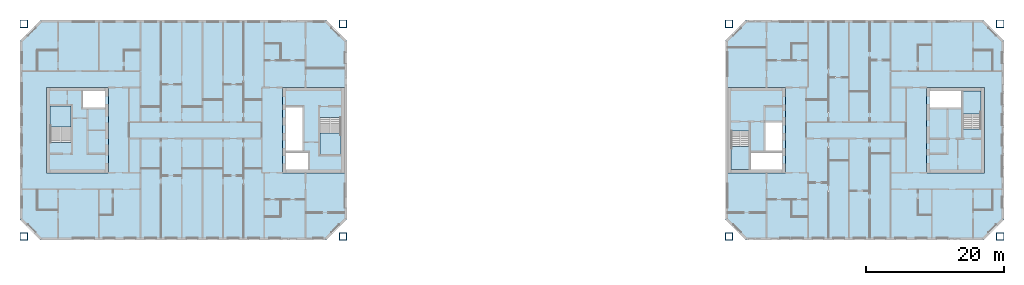
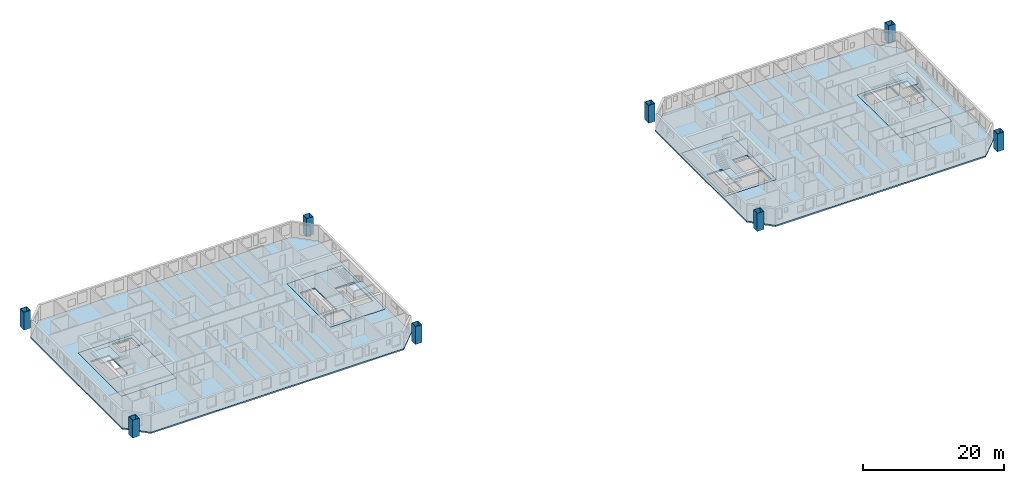
# One storey, part 1 of 16: 10 slabs, 8 columns, 4 elements without a shape of their own.
"""IFC4 building model written with IfcOpenShell, lengths in metres."""

from ifc_helpers import new_model, si_unit, direction, frame, origin, origin_2d, place, context, subcontext, project, spatial, polyline, hollow_rectangle, outline, extrude, material, layer, layer_set, material_profile, profile_set, type_object, element, aggregate, save


model = new_model("IFC4")

# Units and contexts
model_context = context("Model", 3, precision=1e-05, world=origin(), true_north=direction((0.0, 1.0)))
body_context = subcontext(model_context, "Body", "Model", "MODEL_VIEW")
ifc_project = project(units=[si_unit("LENGTHUNIT", "METRE"), si_unit("AREAUNIT", "SQUARE_METRE"), si_unit("VOLUMEUNIT", "CUBIC_METRE"), si_unit("PLANEANGLEUNIT", "RADIAN"), si_unit("MASSUNIT", "GRAM", prefix="KILO")], contexts=[model_context])

# Site, building, storey
site_placement = place(None, origin())
site = spatial("IfcSite", under=ifc_project, at=site_placement, CompositionType="ELEMENT")
building_placement = place(site_placement, origin())
building = spatial("IfcBuilding", under=site, at=building_placement, Name="Tuart Gate Housing", CompositionType="ELEMENT")
storey_placement = place(building_placement, frame((0.0, 0.0, 151.60009765625)))
storey = spatial("IfcBuildingStorey", under=building, at=storey_placement, Name="L42", CompositionType="ELEMENT", Elevation=151.60009765625)

# Columns
ifc_material_1 = material(Name="Steel Grade 350", Category="steel")
ifc_material_profile = material_profile(ifc_material_1, hollow_rectangle(XDim=1.10009765625, YDim=1.10009765625, WallThickness=0.06005859375, at=origin_2d()), Name="BOX 1100x1100x60")
ifc_profile_set = profile_set([ifc_material_profile], Name="Steel Grade 350")
column_type = type_object("IfcColumnType", Name="Mega column BOX 1100x1100x60", PredefinedType="COLUMN", material=ifc_profile_set)
for number, where, z_axis, x_axis, name in (
    (1, (29.050048828125, 54.550048828125, 0.0), (0.0, 0.0, 1.0), (1.0, 0.0, 0.0), "Mega column A south-west L42"),
    (2, (75.449951171875, 54.550048828125, 0.0), (0.0, 0.0, 1.0), (1.0, 0.0, 0.0), "Mega column A south-east L42"),
    (3, (75.449951171875, 85.449951171875, 0.0), (0.0, 0.0, 1.0), (1.0, 0.0, 0.0), "Mega column A north-east L42"),
    (4, (29.050048828125, 85.449951171875, 0.0), (0.0, 0.0, 1.0), (1.0, 0.0, 0.0), "Mega column A north-west L42"),
    (5, (131.550048828125, 54.550048828125, 0.0), (0.0, 0.0, 1.0), (1.0, 0.0, 0.0), "Mega column B south-west L42"),
    (6, (170.949951171875, 54.550048828125, 0.0), (0.0, 0.0, 1.0), (1.0, 0.0, 0.0), "Mega column B south-east L42"),
    (7, (170.949951171875, 85.449951171875, 0.0), (0.0, 0.0, 1.0), (1.0, 0.0, 0.0), "Mega column B north-east L42"),
    (8, (131.550048828125, 85.449951171875, 0.0), (0.0, 0.0, 1.0), (1.0, 0.0, 0.0), "Mega column B north-west L42"),
):
    element("IfcColumn", number, at=place(storey_placement, frame(where, z_axis=z_axis, x_axis=x_axis)), inside=storey, type_object=column_type, Name=name, PredefinedType="COLUMN", context=body_context, shape_type="SweptSolid", body=[
        extrude(hollow_rectangle(XDim=1.10009765625, YDim=1.10009765625, WallThickness=0.06005859375, at=origin_2d()), origin(), (0.0, 0.0, 1.0), 3.099853515625),
    ])

# Slabs
ifc_material_2 = material(Name="Concrete C40", Category="concrete")
ifc_layer_1 = layer(ifc_material_2, 0.25)
ifc_layer_set_1 = layer_set([ifc_layer_1], Name="Core floor slab 250")
slab_type_1 = type_object("IfcSlabType", Name="Core floor slab 250", PredefinedType="FLOOR", material=ifc_layer_set_1)
slab_1_placement = place(storey_placement, frame((0.0, 0.0, -0.25)))
element("IfcSlab", 9, at=slab_1_placement, inside=storey, type_object=slab_type_1, Name="Core floor AG", PredefinedType="FLOOR", context=body_context, shape_type="SweptSolid", body=[
    extrude(outline(polyline([(66.639892578125, 63.800048828125), (75.639892578125, 63.800048828125), (75.639892578125, 76.199951171875), (66.639892578125, 76.199951171875), (66.639892578125, 63.800048828125)]), holes=[polyline([(67.139892578125, 64.300048828125), (70.385009765625, 64.300048828125), (70.385009765625, 66.72509765625), (67.139892578125, 66.72509765625), (67.139892578125, 64.300048828125)]), polyline([(67.139892578125, 66.97509765625), (69.56494140625, 66.97509765625), (69.56494140625, 73.324951171875), (67.139892578125, 73.324951171875), (67.139892578125, 66.97509765625)]), polyline([(72.06494140625, 66.47509765625), (75.139892578125, 66.47509765625), (75.139892578125, 71.804931640625), (72.06494140625, 71.804931640625), (72.06494140625, 66.47509765625)])]), origin(), (0.0, 0.0, 1.0), 0.25),
])
slab_2_placement = place(storey_placement, frame((0.0, 0.0, -0.25)))
element("IfcSlab", 10, at=slab_2_placement, inside=storey, type_object=slab_type_1, Name="Core floor AK", PredefinedType="FLOOR", context=body_context, shape_type="SweptSolid", body=[
    extrude(outline(polyline([(32.360107421875, 63.800048828125), (41.360107421875, 63.800048828125), (41.360107421875, 76.199951171875), (32.360107421875, 76.199951171875), (32.360107421875, 63.800048828125)]), holes=[polyline([(40.860107421875, 75.699951171875), (37.614990234375, 75.699951171875), (37.614990234375, 73.27490234375), (40.860107421875, 73.27490234375), (40.860107421875, 75.699951171875)]), polyline([(35.93505859375, 73.52490234375), (32.860107421875, 73.52490234375), (32.860107421875, 68.195068359375), (35.93505859375, 68.195068359375), (35.93505859375, 73.52490234375)])]), origin(), (0.0, 0.0, 1.0), 0.25),
])
slab_3_placement = place(storey_placement, frame((0.0, 0.0, -0.25)))
element("IfcSlab", 11, at=slab_3_placement, inside=storey, type_object=slab_type_1, Name="Core floor BG", PredefinedType="FLOOR", context=body_context, shape_type="SweptSolid", body=[
    extrude(outline(polyline([(131.360107421875, 63.800048828125), (139.760009765625, 63.800048828125), (139.760009765625, 76.199951171875), (131.360107421875, 76.199951171875), (131.360107421875, 63.800048828125)]), holes=[polyline([(139.260009765625, 66.85009765625), (134.68505859375, 66.85009765625), (134.68505859375, 64.300048828125), (139.260009765625, 64.300048828125), (139.260009765625, 66.85009765625)]), polyline([(139.260009765625, 71.125), (136.8349609375, 71.125), (136.8349609375, 66.97509765625), (139.260009765625, 66.97509765625), (139.260009765625, 71.125)]), polyline([(134.43505859375, 69.85498046875), (131.860107421875, 69.85498046875), (131.860107421875, 64.300048828125), (134.43505859375, 64.300048828125), (134.43505859375, 69.85498046875)])]), origin(), (0.0, 0.0, 1.0), 0.25),
])
slab_4_placement = place(storey_placement, frame((0.0, 0.0, -0.25)))
element("IfcSlab", 12, at=slab_4_placement, inside=storey, type_object=slab_type_1, Name="Core floor BK", PredefinedType="FLOOR", context=body_context, shape_type="SweptSolid", body=[
    extrude(outline(polyline([(160.239990234375, 63.800048828125), (168.639892578125, 63.800048828125), (168.639892578125, 76.199951171875), (160.239990234375, 76.199951171875), (160.239990234375, 63.800048828125)]), holes=[polyline([(160.739990234375, 73.14990234375), (165.31494140625, 73.14990234375), (165.31494140625, 75.699951171875), (160.739990234375, 75.699951171875), (160.739990234375, 73.14990234375)]), polyline([(165.56494140625, 70.14501953125), (168.139892578125, 70.14501953125), (168.139892578125, 75.699951171875), (165.56494140625, 75.699951171875), (165.56494140625, 70.14501953125)])]), origin(), (0.0, 0.0, 1.0), 0.25),
])
ifc_material_3 = material(Name="Concrete C40", Category="concrete")
ifc_layer_2 = layer(ifc_material_3, 0.25)
ifc_layer_set_2 = layer_set([ifc_layer_2], Name="Flat plate 250")
slab_type_2 = type_object("IfcSlabType", Name="Flat plate 250", PredefinedType="FLOOR", material=ifc_layer_set_2)
slab_5_placement = place(storey_placement, frame((0.0, 0.0, -0.25)))
element("IfcSlab", 13, at=slab_5_placement, inside=storey, type_object=slab_type_2, Name="Floor slab A L42", PredefinedType="FLOOR", context=body_context, shape_type="SweptSolid", body=[
    extrude(outline(polyline([(31.5, 86.0), (28.5, 83.0), (28.5, 57.0), (31.5, 54.0), (73.0, 54.0), (76.0, 57.0), (76.0, 83.0), (73.0, 86.0), (31.5, 86.0)]), holes=[polyline([(66.639892578125, 76.199951171875), (75.639892578125, 76.199951171875), (75.639892578125, 63.800048828125), (66.639892578125, 63.800048828125), (66.639892578125, 76.199951171875)]), polyline([(41.360107421875, 76.199951171875), (41.360107421875, 63.800048828125), (32.360107421875, 63.800048828125), (32.360107421875, 76.199951171875), (41.360107421875, 76.199951171875)])]), origin(), (0.0, 0.0, 1.0), 0.25),
])
slab_6_placement = place(storey_placement, frame((0.0, 0.0, -0.25)))
element("IfcSlab", 14, at=slab_6_placement, inside=storey, type_object=slab_type_2, Name="Floor slab B L42", PredefinedType="FLOOR", context=body_context, shape_type="SweptSolid", body=[
    extrude(outline(polyline([(134.0, 86.0), (131.0, 83.0), (131.0, 57.0), (134.0, 54.0), (168.5, 54.0), (171.5, 57.0), (171.5, 83.0), (168.5, 86.0), (134.0, 86.0)]), holes=[polyline([(131.360107421875, 76.199951171875), (139.760009765625, 76.199951171875), (139.760009765625, 63.800048828125), (131.360107421875, 63.800048828125), (131.360107421875, 76.199951171875)]), polyline([(168.639892578125, 76.199951171875), (168.639892578125, 63.800048828125), (160.239990234375, 63.800048828125), (160.239990234375, 76.199951171875), (168.639892578125, 76.199951171875)])]), origin(), (0.0, 0.0, 1.0), 0.25),
])

# Stair, slab
ifc_material_4 = material(Name="Concrete C40", Category="concrete")
stair_type_1 = type_object("IfcStairType", Name="Core stair 1500", PredefinedType="HALF_TURN_STAIR", material=ifc_material_4)
stair_1_placement = place(storey_placement, origin())
stair_1 = element("IfcStair", 15, at=stair_1_placement, inside=storey, type_object=stair_type_1, Name="Stair SA1", PredefinedType="HALF_TURN_STAIR")
ifc_material_5 = material(Name="Concrete C40", Category="concrete")
ifc_layer_3 = layer(ifc_material_5, 0.199951171875)
ifc_layer_set_3 = layer_set([ifc_layer_3], Name="Stair landing 200")
slab_type_3 = type_object("IfcSlabType", Name="Stair landing 200", PredefinedType="LANDING", material=ifc_layer_set_3)
slab_7_placement = place(storey_placement, frame((0.0, 0.0, 1.349853515625)))
slab_7 = element("IfcSlab", 16, at=slab_7_placement, type_object=slab_type_3, Name="SA1 landing 1", PredefinedType="LANDING", context=body_context, shape_type="SweptSolid", body=[
    extrude(outline(polyline([(72.06494140625, 66.47509765625), (75.139892578125, 66.47509765625), (75.139892578125, 69.5849609375), (72.06494140625, 69.5849609375), (72.06494140625, 66.47509765625)])), origin(), (0.0, 0.0, 1.0), 0.199951171875),
])
aggregate(stair_1, [slab_7])

stair_2_placement = place(storey_placement, origin())
stair_2 = element("IfcStair", 17, at=stair_2_placement, inside=storey, type_object=stair_type_1, Name="Stair SA2", PredefinedType="HALF_TURN_STAIR")
slab_8_placement = place(storey_placement, frame((0.0, 0.0, 1.349853515625)))
slab_8 = element("IfcSlab", 18, at=slab_8_placement, type_object=slab_type_3, Name="SA2 landing 1", PredefinedType="LANDING", context=body_context, shape_type="SweptSolid", body=[
    extrude(outline(polyline([(35.93505859375, 73.52490234375), (32.860107421875, 73.52490234375), (32.860107421875, 70.4150390625), (35.93505859375, 70.4150390625), (35.93505859375, 73.52490234375)])), origin(), (0.0, 0.0, 1.0), 0.199951171875),
])
aggregate(stair_2, [slab_8])

ifc_material_6 = material(Name="Concrete C40", Category="concrete")
stair_type_2 = type_object("IfcStairType", Name="Core stair 1250", PredefinedType="HALF_TURN_STAIR", material=ifc_material_6)
stair_3_placement = place(storey_placement, origin())
stair_3 = element("IfcStair", 19, at=stair_3_placement, inside=storey, type_object=stair_type_2, Name="Stair SB1", PredefinedType="HALF_TURN_STAIR")
slab_9_placement = place(storey_placement, frame((0.0, 0.0, 1.349853515625)))
slab_9 = element("IfcSlab", 20, at=slab_9_placement, type_object=slab_type_3, Name="SB1 landing 1", PredefinedType="LANDING", context=body_context, shape_type="SweptSolid", body=[
    extrude(outline(polyline([(134.43505859375, 67.635009765625), (131.860107421875, 67.635009765625), (131.860107421875, 64.300048828125), (134.43505859375, 64.300048828125), (134.43505859375, 67.635009765625)])), origin(), (0.0, 0.0, 1.0), 0.199951171875),
])
aggregate(stair_3, [slab_9])

stair_4_placement = place(storey_placement, origin())
stair_4 = element("IfcStair", 21, at=stair_4_placement, inside=storey, type_object=stair_type_2, Name="Stair SB2", PredefinedType="HALF_TURN_STAIR")
slab_10_placement = place(storey_placement, frame((0.0, 0.0, 1.349853515625)))
slab_10 = element("IfcSlab", 22, at=slab_10_placement, type_object=slab_type_3, Name="SB2 landing 1", PredefinedType="LANDING", context=body_context, shape_type="SweptSolid", body=[
    extrude(outline(polyline([(165.56494140625, 72.364990234375), (168.139892578125, 72.364990234375), (168.139892578125, 75.699951171875), (165.56494140625, 75.699951171875), (165.56494140625, 72.364990234375)])), origin(), (0.0, 0.0, 1.0), 0.199951171875),
])
aggregate(stair_4, [slab_10])

save(model, "model.ifc")
